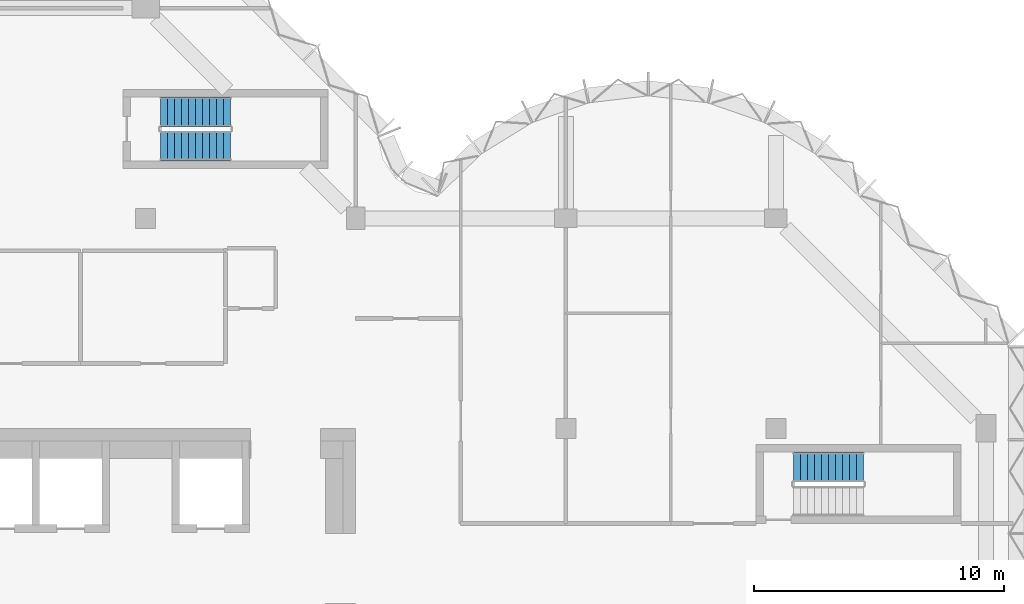
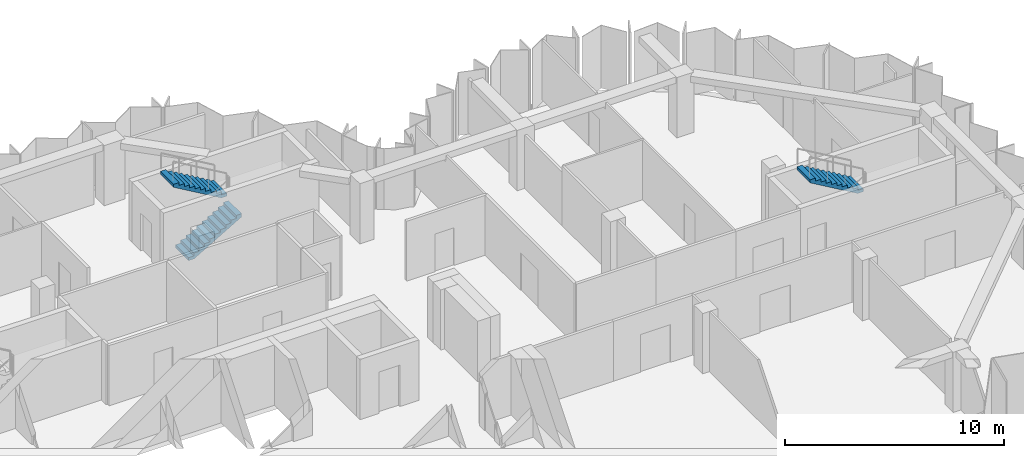
# One storey, part 8 of 10: 3 stair flights, 2 elements without a shape of their own.
"""IFC4 building model written with IfcOpenShell, lengths in metres."""

from ifc_helpers import new_model, si_unit, direction, frame, origin, place, context, subcontext, project, spatial, polyline, outline, extrude, material, type_object, element, aggregate, save


model = new_model("IFC4")

# Units and contexts
model_context = context("Model", 3, precision=1e-05, world=origin(), true_north=direction((0.0, 1.0)))
body_context = subcontext(model_context, "Body", "Model", "MODEL_VIEW")
ifc_project = project(units=[si_unit("LENGTHUNIT", "METRE"), si_unit("AREAUNIT", "SQUARE_METRE"), si_unit("VOLUMEUNIT", "CUBIC_METRE"), si_unit("PLANEANGLEUNIT", "RADIAN"), si_unit("MASSUNIT", "GRAM", prefix="KILO")], contexts=[model_context])

# Site, building, storey
site_placement = place(None, origin())
site = spatial("IfcSite", under=ifc_project, at=site_placement, CompositionType="ELEMENT")
building_placement = place(site_placement, origin())
building = spatial("IfcBuilding", under=site, at=building_placement, Name="Brevane Broadcast Tower", CompositionType="ELEMENT")
storey_placement = place(building_placement, frame((0.0, 0.0, 233.699951171875)))
storey = spatial("IfcBuildingStorey", under=building, at=storey_placement, Name="L59", CompositionType="ELEMENT", Elevation=233.699951171875)

# Stair, stair flights
ifc_material = material(Name="Concrete C50/60", Category="concrete")
stair_type = type_object("IfcStairType", Name="Exit stair 22 risers", PredefinedType="HALF_TURN_STAIR", material=ifc_material)
stair_1_placement = place(storey_placement, origin())
stair_1 = element("IfcStair", 1, at=stair_1_placement, inside=storey, type_object=stair_type, Name="L59 Exit stair ST-3", PredefinedType="HALF_TURN_STAIR")
stair_flight_type = type_object("IfcStairFlightType", Name="Exit stair flight 22 risers", PredefinedType="STRAIGHT", material=ifc_material)
stair_flight_1_placement = place(storey_placement, frame((17.39990234375, 28.10009765625, 0.0), z_axis=(0.0, 0.0, 1.0), x_axis=(1.0, 0.0, 0.0)))
stair_flight_1 = element("IfcStairFlight", 2, at=stair_flight_1_placement, type_object=stair_flight_type, Name="ST-3 flight 1", NumberOfRisers=11, NumberOfTreads=10, PredefinedType="STRAIGHT", RiserHeight=0.163636364, TreadLength=0.28, context=body_context, shape_type="SweptSolid", body=[
    extrude(outline(polyline([(0.0, 0.0), (0.0, 0.16357421875), (0.280029296875, 0.16357421875), (0.280029296875, 0.327392578125), (0.56005859375, 0.327392578125), (0.56005859375, 0.490966796875), (0.840087890625, 0.490966796875), (0.840087890625, 0.654541015625), (1.1201171875, 0.654541015625), (1.1201171875, 0.818115234375), (1.39990234375, 0.818115234375), (1.39990234375, 0.98193359375), (1.679931640625, 0.98193359375), (1.679931640625, 1.1455078125), (1.9599609375, 1.1455078125), (1.9599609375, 1.30908203125), (2.239990234375, 1.30908203125), (2.239990234375, 1.47265625), (2.52001953125, 1.47265625), (2.52001953125, 1.636474609375), (2.800048828125, 1.636474609375), (2.800048828125, 1.800048828125), (2.800048828125, 1.462646484375), (0.297119140625, 0.0), (0.0, 0.0)])), frame((0.0, 0.60009765625, 0.0), z_axis=(0.0, -1.0, 0.0), x_axis=(1.0, 0.0, 0.0)), (0.0, 0.0, 1.0), 1.199951171875),
])
stair_flight_2_placement = place(storey_placement, frame((20.199951171875, 29.449951171875, 1.800048828125), z_axis=(0.0, 0.0, 1.0), x_axis=(-1.0, 0.0, 0.0)))
stair_flight_2 = element("IfcStairFlight", 3, at=stair_flight_2_placement, type_object=stair_flight_type, Name="ST-3 flight 2", NumberOfRisers=11, NumberOfTreads=10, PredefinedType="STRAIGHT", RiserHeight=0.163636364, TreadLength=0.28, context=body_context, shape_type="SweptSolid", body=[
    extrude(outline(polyline([(0.0, 0.0), (0.0, 0.16357421875), (0.280029296875, 0.16357421875), (0.280029296875, 0.327392578125), (0.56005859375, 0.327392578125), (0.56005859375, 0.490966796875), (0.840087890625, 0.490966796875), (0.840087890625, 0.654541015625), (1.1201171875, 0.654541015625), (1.1201171875, 0.818115234375), (1.39990234375, 0.818115234375), (1.39990234375, 0.98193359375), (1.679931640625, 0.98193359375), (1.679931640625, 1.1455078125), (1.9599609375, 1.1455078125), (1.9599609375, 1.30908203125), (2.239990234375, 1.30908203125), (2.239990234375, 1.47265625), (2.52001953125, 1.47265625), (2.52001953125, 1.636474609375), (2.800048828125, 1.636474609375), (2.800048828125, 1.800048828125), (2.800048828125, 1.462646484375), (0.297119140625, 0.0), (0.0, 0.0)])), frame((0.0, 0.60009765625, 0.0), z_axis=(0.0, -1.0, 0.0), x_axis=(1.0, 0.0, 0.0)), (0.0, 0.0, 1.0), 1.199951171875),
])
aggregate(stair_1, [stair_flight_1, stair_flight_2])

# Stair, stair flight
stair_2_placement = place(storey_placement, origin())
stair_2 = element("IfcStair", 4, at=stair_2_placement, inside=storey, type_object=stair_type, Name="L59 Exit stair ST-4", PredefinedType="HALF_TURN_STAIR")
stair_flight_3_placement = place(storey_placement, frame((45.5, 15.25, 1.800048828125), z_axis=(0.0, 0.0, 1.0), x_axis=(-1.0, 0.0, 0.0)))
stair_flight_3 = element("IfcStairFlight", 5, at=stair_flight_3_placement, type_object=stair_flight_type, Name="ST-4 flight 2", NumberOfRisers=11, NumberOfTreads=10, PredefinedType="STRAIGHT", RiserHeight=0.163636364, TreadLength=0.28, context=body_context, shape_type="SweptSolid", body=[
    extrude(outline(polyline([(0.0, 0.0), (0.0, 0.16357421875), (0.280029296875, 0.16357421875), (0.280029296875, 0.327392578125), (0.56005859375, 0.327392578125), (0.56005859375, 0.490966796875), (0.840087890625, 0.490966796875), (0.840087890625, 0.654541015625), (1.1201171875, 0.654541015625), (1.1201171875, 0.818115234375), (1.39990234375, 0.818115234375), (1.39990234375, 0.98193359375), (1.679931640625, 0.98193359375), (1.679931640625, 1.1455078125), (1.9599609375, 1.1455078125), (1.9599609375, 1.30908203125), (2.239990234375, 1.30908203125), (2.239990234375, 1.47265625), (2.52001953125, 1.47265625), (2.52001953125, 1.636474609375), (2.800048828125, 1.636474609375), (2.800048828125, 1.800048828125), (2.800048828125, 1.462646484375), (0.297119140625, 0.0), (0.0, 0.0)])), frame((0.0, 0.60009765625, 0.0), z_axis=(0.0, -1.0, 0.0), x_axis=(1.0, 0.0, 0.0)), (0.0, 0.0, 1.0), 1.199951171875),
])
aggregate(stair_2, [stair_flight_3])

save(model, "model.ifc")
